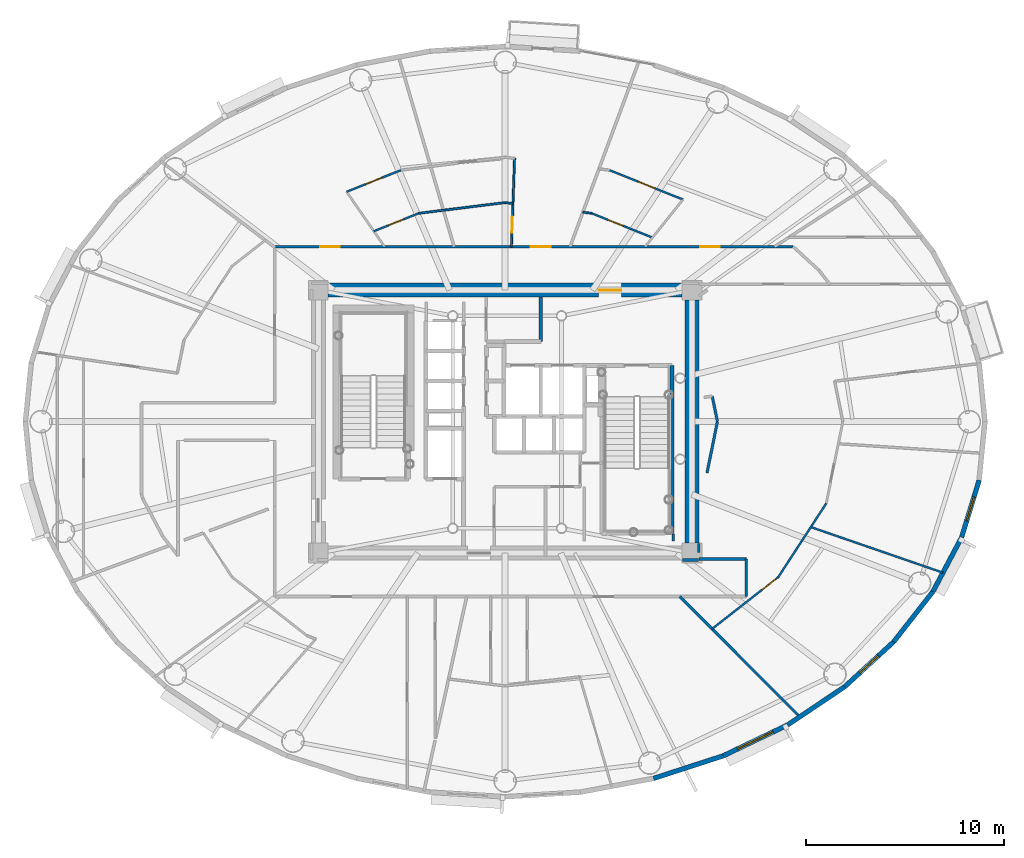
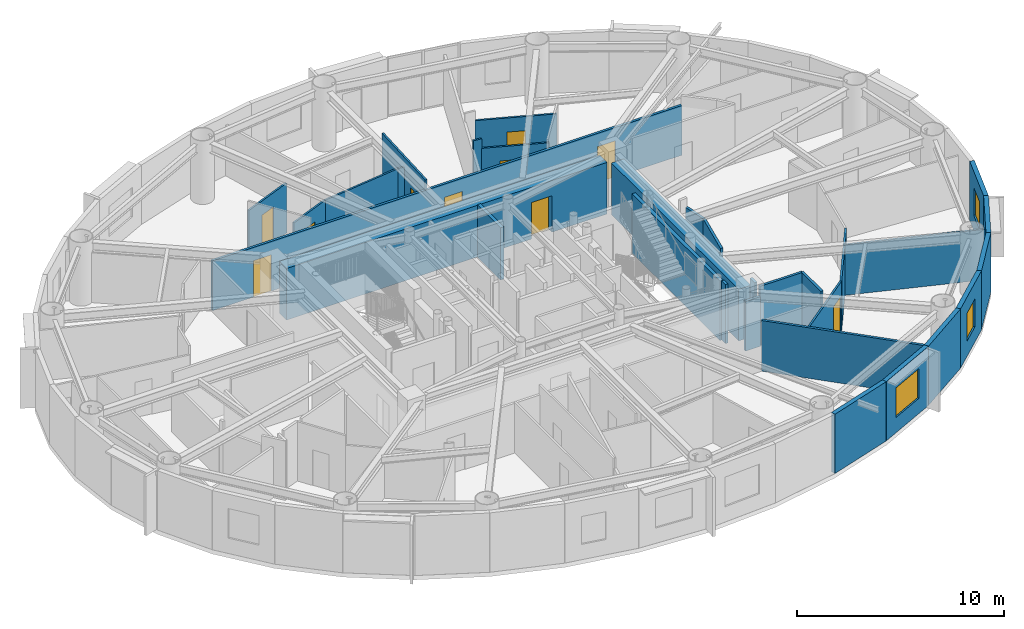
# One storey, part 10 of 20: 31 walls, 10 doors, 3 windows, 13 openings.
"""IFC4 building model written with IfcOpenShell, lengths in metres."""

from ifc_helpers import new_model, si_unit, direction, frame, frame_2d, origin, origin_2d, place, context, subcontext, project, spatial, rectangle, extrude, source, transform, mapped, material, layer, layer_set, type_object, element, fill, save


model = new_model("IFC4")

# Units and contexts
model_context = context("Model", 3, precision=1e-05, world=origin(), true_north=direction((0.0, 1.0)))
body_context = subcontext(model_context, "Body", "Model", "MODEL_VIEW")
ifc_project = project(units=[si_unit("LENGTHUNIT", "METRE"), si_unit("AREAUNIT", "SQUARE_METRE"), si_unit("VOLUMEUNIT", "CUBIC_METRE"), si_unit("PLANEANGLEUNIT", "RADIAN"), si_unit("MASSUNIT", "GRAM", prefix="KILO")], contexts=[model_context])

# Site, building, storey
site_placement = place(None, origin())
site = spatial("IfcSite", under=ifc_project, at=site_placement, CompositionType="ELEMENT")
building_placement = place(site_placement, origin())
building = spatial("IfcBuilding", under=site, at=building_placement, Name="Linh Dai School and Residence Tower", CompositionType="ELEMENT")
storey_placement = place(building_placement, frame((0.0, 0.0, 221.550048828125)))
storey = spatial("IfcBuildingStorey", under=building, at=storey_placement, Name="L54", CompositionType="ELEMENT", Elevation=221.550048828125)

# Wall
ifc_material_1 = material(Name="Precast Concrete B45 (C35/45)", Category="concrete")
ifc_layer_1 = layer(ifc_material_1, 0.239990234375)
ifc_layer_set_1 = layer_set([ifc_layer_1], Name="Precast Concrete B45 (C35/45)")
wall_type_1 = type_object("IfcWallType", Name="EW-TC-240", PredefinedType="SOLIDWALL", material=ifc_layer_set_1)
wall_1_placement = place(storey_placement, frame((47.031005859375, 10.093505859375, 0.0), z_axis=(0.0, 0.0, 1.0), x_axis=(-0.951210789182, -0.308541787354, 0.0)))
element("IfcWall", 1, at=wall_1_placement, inside=storey, type_object=wall_type_1, Name="L54 Terracotta Exterior Wall 33", PredefinedType="SOLIDWALL", context=body_context, shape_type="SweptSolid", body=[
    extrude(rectangle(XDim=3.702392578125, YDim=0.239990234375, at=frame_2d((1.85107421875, 0.0))), origin(), (0.0, 0.0, 1.0), 3.5),
])

# Wall, opening, window
wall_2_placement = place(storey_placement, frame((50.280029296875, 11.65234375, 0.0), z_axis=(0.0, 0.0, 1.0), x_axis=(-0.901598104751, -0.432574684313, 0.0)))
wall_2 = element("IfcWall", 2, at=wall_2_placement, inside=storey, type_object=wall_type_1, Name="L54 Terracotta Exterior Wall 34", PredefinedType="SOLIDWALL", context=body_context, shape_type="SweptSolid", body=[
    extrude(rectangle(XDim=3.603515625, YDim=0.239990234375, at=frame_2d((1.8017578125, 0.0))), origin(), (0.0, 0.0, 1.0), 3.5),
])
opening_1_placement = place(wall_2_placement, frame((0.802001953125, 0.0, 0.89990234375)))
opening_1 = element("IfcOpeningElement", 3, at=opening_1_placement, cuts=wall_2, Name="Opening W1", PredefinedType="OPENING", context=body_context, shape_type="SweptSolid", body=[
    extrude(rectangle(XDim=2.0, YDim=1.75, at=origin_2d()), frame((1.0, 0.1298828125, 0.875), z_axis=(0.0, -1.0, 0.0), x_axis=(1.0, 0.0, 0.0)), (0.0, 0.0, 1.0), 0.260009765625),
])
ifc_material_2 = material(Name="Double Low-E Insulated Glazing", Category="glass")
window_type_1 = type_object("IfcWindowType", Name="WN-RES-2000x1750", PartitioningType="DOUBLE_PANEL_VERTICAL", PredefinedType="WINDOW", material=ifc_material_2)
shared_shape_1 = source(origin(), body_context, "Body", "SweptSolid", [
    extrude(rectangle(XDim=2.0, YDim=1.75, at=origin_2d()), frame((1.0, 0.030029296875, 0.875), z_axis=(0.0, -1.0, 0.0), x_axis=(1.0, 0.0, 0.0)), (0.0, 0.0, 1.0), 0.06005859375),
])
window_1_placement = place(opening_1_placement, origin())
window_1 = element("IfcWindow", 4, at=window_1_placement, inside=storey, type_object=window_type_1, Name="L54 Exterior Window 34.1", OverallHeight=1.75, OverallWidth=2.0, PartitioningType="DOUBLE_PANEL_VERTICAL", PredefinedType="WINDOW", context=body_context, shape_type="MappedRepresentation", body=[
    mapped(shared_shape_1, transform((0.0, 0.0, 0.0), x_axis=(1.0, 0.0, 0.0), y_axis=(0.0, 1.0, 0.0), z_axis=(0.0, 0.0, 1.0), scale=1.0)),
])
fill(opening_1, window_1)

# Wall
wall_3_placement = place(storey_placement, frame((53.17626953125, 13.589111328125, 0.0), z_axis=(0.0, 0.0, 1.0), x_axis=(-0.831262496074, -0.555880079352, 0.0)))
element("IfcWall", 5, at=wall_3_placement, inside=storey, type_object=wall_type_1, Name="L54 Terracotta Exterior Wall 35", PredefinedType="SOLIDWALL", context=body_context, shape_type="SweptSolid", body=[
    extrude(rectangle(XDim=3.484130859375, YDim=0.239990234375, at=frame_2d((1.7421875, 0.0))), origin(), (0.0, 0.0, 1.0), 3.5),
])

# Wall, opening, window
wall_4_placement = place(storey_placement, frame((55.6484375, 15.85546875, 0.0), z_axis=(0.0, 0.0, 1.0), x_axis=(-0.737123922599, -0.675757591694, 0.0)))
wall_4 = element("IfcWall", 6, at=wall_4_placement, inside=storey, type_object=wall_type_1, Name="L54 Terracotta Exterior Wall 36", PredefinedType="SOLIDWALL", context=body_context, shape_type="SweptSolid", body=[
    extrude(rectangle(XDim=3.353759765625, YDim=0.239990234375, at=frame_2d((1.6767578125, 0.0))), origin(), (0.0, 0.0, 1.0), 3.5),
])
opening_2_placement = place(wall_4_placement, frame((1.0517578125, 0.0, 0.89990234375)))
opening_2 = element("IfcOpeningElement", 7, at=opening_2_placement, cuts=wall_4, Name="Opening W3", PredefinedType="OPENING", context=body_context, shape_type="SweptSolid", body=[
    extrude(rectangle(XDim=1.25, YDim=1.64990234375, at=origin_2d()), frame((0.625, 0.1298828125, 0.824951171875), z_axis=(0.0, -1.0, 0.0), x_axis=(1.0, 0.0, 0.0)), (0.0, 0.0, 1.0), 0.260009765625),
])
window_type_2 = type_object("IfcWindowType", Name="WN-RES-1250x1650", PartitioningType="SINGLE_PANEL", PredefinedType="WINDOW", material=ifc_material_2)
shared_shape_2 = source(origin(), body_context, "Body", "SweptSolid", [
    extrude(rectangle(XDim=1.25, YDim=1.64990234375, at=origin_2d()), frame((0.625, 0.030029296875, 0.824951171875), z_axis=(0.0, -1.0, 0.0), x_axis=(1.0, 0.0, 0.0)), (0.0, 0.0, 1.0), 0.06005859375),
])
window_2_placement = place(opening_2_placement, origin())
window_2 = element("IfcWindow", 8, at=window_2_placement, inside=storey, type_object=window_type_2, Name="L54 Dwelling Window U5407-BD1", OverallHeight=1.64990234375, OverallWidth=1.25, PartitioningType="SINGLE_PANEL", PredefinedType="WINDOW", context=body_context, shape_type="MappedRepresentation", body=[
    mapped(shared_shape_2, transform((0.0, 0.0, 0.0), x_axis=(1.0, 0.0, 0.0), y_axis=(0.0, 1.0, 0.0), z_axis=(0.0, 0.0, 1.0), scale=1.0)),
])
fill(opening_2, window_2)

# Walls
wall_5_placement = place(storey_placement, frame((57.6357421875, 18.394775390625, 0.0), z_axis=(0.0, 0.0, 1.0), x_axis=(-0.616312344705, -0.787501805562, 0.0)))
element("IfcWall", 9, at=wall_5_placement, inside=storey, type_object=wall_type_1, Name="L54 Terracotta Exterior Wall 37", PredefinedType="SOLIDWALL", context=body_context, shape_type="SweptSolid", body=[
    extrude(rectangle(XDim=3.224609375, YDim=0.239990234375, at=frame_2d((1.6123046875, 0.0))), origin(), (0.0, 0.0, 1.0), 3.5),
])
wall_6_placement = place(storey_placement, frame((59.09033203125, 21.14404296875, 0.0), z_axis=(0.0, 0.0, 1.0), x_axis=(-0.46766049993, -0.883908172157, 0.0)))
element("IfcWall", 10, at=wall_6_placement, inside=storey, type_object=wall_type_1, Name="L54 Terracotta Exterior Wall 38", PredefinedType="SOLIDWALL", context=body_context, shape_type="SweptSolid", body=[
    extrude(rectangle(XDim=3.1103515625, YDim=0.239990234375, at=frame_2d((1.55517578125, 0.0))), origin(), (0.0, 0.0, 1.0), 3.5),
])

# Wall, opening, window
wall_7_placement = place(storey_placement, frame((59.97705078125, 24.0361328125, 0.0), z_axis=(0.0, 0.0, 1.0), x_axis=(-0.293132907334, -0.95607170162, 0.0)))
wall_7 = element("IfcWall", 11, at=wall_7_placement, inside=storey, type_object=wall_type_1, Name="L54 Terracotta Exterior Wall 39", PredefinedType="SOLIDWALL", context=body_context, shape_type="SweptSolid", body=[
    extrude(rectangle(XDim=3.02490234375, YDim=0.239990234375, at=frame_2d((1.512451171875, 0.0))), origin(), (0.0, 0.0, 1.0), 3.5),
])
opening_3_placement = place(wall_7_placement, frame((0.887451171875, 0.0, 0.89990234375)))
opening_3 = element("IfcOpeningElement", 12, at=opening_3_placement, cuts=wall_7, Name="Opening W3", PredefinedType="OPENING", context=body_context, shape_type="SweptSolid", body=[
    extrude(rectangle(XDim=1.25, YDim=1.64990234375, at=origin_2d()), frame((0.625, 0.1298828125, 0.824951171875), z_axis=(0.0, -1.0, 0.0), x_axis=(1.0, 0.0, 0.0)), (0.0, 0.0, 1.0), 0.260009765625),
])
window_3_placement = place(opening_3_placement, origin())
window_3 = element("IfcWindow", 13, at=window_3_placement, inside=storey, type_object=window_type_2, Name="L54 Exterior Window 39.1", OverallHeight=1.64990234375, OverallWidth=1.25, PartitioningType="SINGLE_PANEL", PredefinedType="WINDOW", context=body_context, shape_type="MappedRepresentation", body=[
    mapped(shared_shape_2, transform((0.0, 0.0, 0.0), x_axis=(1.0, 0.0, 0.0), y_axis=(0.0, 1.0, 0.0), z_axis=(0.0, 0.0, 1.0), scale=1.0)),
])
fill(opening_3, window_3)

# Wall, openings, doors
ifc_material_3 = material(Name="Autoclaved Aerated Concrete Blockwork", Category="masonry")
ifc_layer_2 = layer(ifc_material_3, 0.135009765625)
ifc_layer_set_2 = layer_set([ifc_layer_2], Name="Autoclaved Aerated Concrete Blockwork")
wall_type_2 = type_object("IfcWallType", Name="IW-CORR-135-EI90", PredefinedType="PARTITIONING", material=ifc_layer_set_2)
wall_8_placement = place(storey_placement, frame((24.35009765625, 35.85009765625, 0.0), z_axis=(0.0, 0.0, 1.0), x_axis=(1.0, 0.0, 0.0)))
wall_8 = element("IfcWall", 14, at=wall_8_placement, inside=storey, type_object=wall_type_2, Name="L54 Interior Partition Wall 023", PredefinedType="PARTITIONING", context=body_context, shape_type="SweptSolid", body=[
    extrude(rectangle(XDim=26.2177734375, YDim=0.135009765625, at=frame_2d((13.10888671875, 0.0))), origin(), (0.0, 0.0, 1.0), 2.93505859375),
])
opening_4_placement = place(wall_8_placement, frame((21.506591796875, 0.0, 0.0)))
opening_4 = element("IfcOpeningElement", 15, at=opening_4_placement, cuts=wall_8, Name="Opening D03", PredefinedType="OPENING", context=body_context, shape_type="SweptSolid", body=[
    extrude(rectangle(XDim=1.0, YDim=2.14990234375, at=origin_2d()), frame((0.5, 0.07763671875, 1.074951171875), z_axis=(0.0, -1.0, 0.0), x_axis=(1.0, 0.0, 0.0)), (0.0, 0.0, 1.0), 0.155029296875),
])
opening_5_placement = place(wall_8_placement, frame((12.9501953125, 0.0, 0.0)))
opening_5 = element("IfcOpeningElement", 16, at=opening_5_placement, cuts=wall_8, Name="Opening D03", PredefinedType="OPENING", context=body_context, shape_type="SweptSolid", body=[
    extrude(rectangle(XDim=1.0, YDim=2.14990234375, at=origin_2d()), frame((0.5, 0.07763671875, 1.074951171875), z_axis=(0.0, -1.0, 0.0), x_axis=(1.0, 0.0, 0.0)), (0.0, 0.0, 1.0), 0.155029296875),
])
opening_6_placement = place(wall_8_placement, frame((2.293212890625, 0.0, 0.0)))
opening_6 = element("IfcOpeningElement", 17, at=opening_6_placement, cuts=wall_8, Name="Opening D03", PredefinedType="OPENING", context=body_context, shape_type="SweptSolid", body=[
    extrude(rectangle(XDim=1.0, YDim=2.14990234375, at=origin_2d()), frame((0.5, 0.07763671875, 1.074951171875), z_axis=(0.0, -1.0, 0.0), x_axis=(1.0, 0.0, 0.0)), (0.0, 0.0, 1.0), 0.155029296875),
])
ifc_material_4 = material(Name="Fire-Rated Solid Timber Entrance Door", Category="wood")
door_type_1 = type_object("IfcDoorType", Name="DR-FLAT-1000x2150-FD60S", OperationType="NOTDEFINED", PredefinedType="DOOR", material=ifc_material_4)
shared_shape_3 = source(origin(), body_context, "Body", "SweptSolid", [
    extrude(rectangle(XDim=1.0, YDim=2.14990234375, at=origin_2d()), frame((0.5, 0.02490234375, 1.074951171875), z_axis=(0.0, -1.0, 0.0), x_axis=(1.0, 0.0, 0.0)), (0.0, 0.0, 1.0), 0.050048828125),
])
door_1_placement = place(opening_4_placement, origin())
door_1 = element("IfcDoor", 18, at=door_1_placement, inside=storey, type_object=door_type_1, Name="L54 U5401 Apartment Entrance Door", OperationType="SINGLE_SWING_LEFT", OverallHeight=2.14990234375, OverallWidth=1.0, PredefinedType="DOOR", context=body_context, shape_type="MappedRepresentation", body=[
    mapped(shared_shape_3, transform((0.0, 0.0, 0.0), x_axis=(1.0, 0.0, 0.0), y_axis=(0.0, 1.0, 0.0), z_axis=(0.0, 0.0, 1.0), scale=1.0)),
])
fill(opening_4, door_1)
door_2_placement = place(opening_5_placement, origin())
door_2 = element("IfcDoor", 19, at=door_2_placement, inside=storey, type_object=door_type_1, Name="L54 U5402 Apartment Entrance Door", OperationType="SINGLE_SWING_RIGHT", OverallHeight=2.14990234375, OverallWidth=1.0, PredefinedType="DOOR", context=body_context, shape_type="MappedRepresentation", body=[
    mapped(shared_shape_3, transform((0.0, 0.0, 0.0), x_axis=(1.0, 0.0, 0.0), y_axis=(0.0, 1.0, 0.0), z_axis=(0.0, 0.0, 1.0), scale=1.0)),
])
fill(opening_5, door_2)
door_3_placement = place(opening_6_placement, origin())
door_3 = element("IfcDoor", 20, at=door_3_placement, inside=storey, type_object=door_type_1, Name="L54 U5403 Apartment Entrance Door", OperationType="SINGLE_SWING_LEFT", OverallHeight=2.14990234375, OverallWidth=1.0, PredefinedType="DOOR", context=body_context, shape_type="MappedRepresentation", body=[
    mapped(shared_shape_3, transform((0.0, 0.0, 0.0), x_axis=(1.0, 0.0, 0.0), y_axis=(0.0, 1.0, 0.0), z_axis=(0.0, 0.0, 1.0), scale=1.0)),
])
fill(opening_6, door_3)

# Walls
wall_9_placement = place(storey_placement, frame((44.83349609375, 18.14990234375, 0.0), z_axis=(0.0, 0.0, 1.0), x_axis=(0.706467502326, -0.707745482612, 0.0)))
element("IfcWall", 21, at=wall_9_placement, inside=storey, type_object=wall_type_2, Name="L54 Interior Partition Wall 083", PredefinedType="PARTITIONING", context=body_context, shape_type="SweptSolid", body=[
    extrude(rectangle(XDim=8.5966796875, YDim=0.135009765625, at=frame_2d((4.29833984375, 0.0))), origin(), (0.0, 0.0, 1.0), 2.98486328125),
])
wall_10_placement = place(storey_placement, frame((45.800048828125, 20.050048828125, 0.0), z_axis=(0.0, 0.0, 1.0), x_axis=(1.0, 0.0, 0.0)))
element("IfcWall", 22, at=wall_10_placement, inside=storey, type_object=wall_type_2, Name="L54 Interior Partition Wall 084", PredefinedType="PARTITIONING", context=body_context, shape_type="SweptSolid", body=[
    extrude(rectangle(XDim=2.39990234375, YDim=0.135009765625, at=frame_2d((1.199951171875, 0.0))), origin(), (0.0, 0.0, 1.0), 3.5),
])
wall_11_placement = place(storey_placement, frame((48.199951171875, 18.14990234375, 0.0), z_axis=(0.0, 0.0, 1.0), x_axis=(0.0, 1.0, 0.0)))
element("IfcWall", 23, at=wall_11_placement, inside=storey, type_object=wall_type_2, Name="L54 Interior Partition Wall 087", PredefinedType="PARTITIONING", context=body_context, shape_type="SweptSolid", body=[
    extrude(rectangle(XDim=1.900146484375, YDim=0.135009765625, at=frame_2d((0.9501953125, 0.0))), origin(), (0.0, 0.0, 1.0), 3.5),
])
wall_12_placement = place(storey_placement, frame((44.5, 20.9599609375, 0.0), z_axis=(0.0, 0.0, 1.0), x_axis=(0.0, 1.0, 0.0)))
element("IfcWall", 24, at=wall_12_placement, inside=storey, type_object=wall_type_2, Name="L54 Interior Partition Wall 103", PredefinedType="PARTITIONING", context=body_context, shape_type="SweptSolid", body=[
    extrude(rectangle(XDim=0.360107421875, YDim=0.135009765625, at=frame_2d((0.18017578125, 0.0))), origin(), (0.0, 0.0, 1.0), 3.5),
])
wall_13_placement = place(storey_placement, frame((44.9599609375, 20.0, 0.0), z_axis=(0.0, 0.0, 1.0), x_axis=(1.0, 0.0, 0.0)))
element("IfcWall", 25, at=wall_13_placement, inside=storey, type_object=wall_type_2, Name="L54 Interior Partition Wall 112", PredefinedType="PARTITIONING", context=body_context, shape_type="SweptSolid", body=[
    extrude(rectangle(XDim=0.830078125, YDim=0.135009765625, at=frame_2d((0.4150390625, 0.0))), origin(), (0.0, 0.0, 1.0), 2.93505859375),
])
wall_14_placement = place(storey_placement, frame((45.800048828125, 20.37744140625, 0.0), z_axis=(0.0, 0.0, 1.0), x_axis=(0.0, 1.0, 0.0)))
element("IfcWall", 26, at=wall_14_placement, inside=storey, type_object=wall_type_2, Name="L54 Interior Partition Wall 117", PredefinedType="PARTITIONING", context=body_context, shape_type="SweptSolid", body=[
    extrude(rectangle(XDim=0.462646484375, YDim=0.135009765625, at=frame_2d((0.2314453125, 0.0))), origin(), (0.0, 0.0, 1.0), 3.5),
])
wall_15_placement = place(storey_placement, frame((46.21044921875, 24.40234375, 0.0), z_axis=(0.0, 0.0, 1.0), x_axis=(0.198330009585, 0.980135300506, 0.0)))
element("IfcWall", 27, at=wall_15_placement, inside=storey, type_object=wall_type_2, Name="L54 Interior Partition Wall 118", PredefinedType="PARTITIONING", context=body_context, shape_type="SweptSolid", body=[
    extrude(rectangle(XDim=2.650390625, YDim=0.135009765625, at=frame_2d((1.3251953125, 0.0))), origin(), (0.0, 0.0, 1.0), 2.93505859375),
])
wall_16_placement = place(storey_placement, frame((46.736083984375, 27.0, 0.0), z_axis=(0.0, 0.0, 1.0), x_axis=(-0.198267784349, 0.980147889703, 0.0)))
element("IfcWall", 28, at=wall_16_placement, inside=storey, type_object=wall_type_2, Name="L54 Interior Partition Wall 119", PredefinedType="PARTITIONING", context=body_context, shape_type="SweptSolid", body=[
    extrude(rectangle(XDim=1.308837890625, YDim=0.135009765625, at=frame_2d((0.654296875, 0.0))), origin(), (0.0, 0.0, 1.0), 2.93505859375),
])
ifc_material_5 = material(Name="Concrete B45 (C35/45)", Category="concrete")
ifc_layer_3 = layer(ifc_material_5, 0.199951171875)
ifc_layer_set_3 = layer_set([ifc_layer_3], Name="Concrete B45 (C35/45)")
wall_type_3 = type_object("IfcWallType", Name="IW-SHAFT-200-EI120", PredefinedType="PARTITIONING", material=ifc_layer_set_3)
wall_17_placement = place(storey_placement, frame((37.800048828125, 31.050048828125, 0.0), z_axis=(0.0, 0.0, 1.0), x_axis=(0.0, 1.0, 0.0)))
element("IfcWall", 29, at=wall_17_placement, inside=storey, type_object=wall_type_3, Name="L54 Interior Partition Wall 066", PredefinedType="PARTITIONING", context=body_context, shape_type="SweptSolid", body=[
    extrude(rectangle(XDim=2.25, YDim=0.199951171875, at=frame_2d((1.125, 0.0))), origin(), (0.0, 0.0, 1.0), 3.0849609375),
])
wall_18_placement = place(storey_placement, frame((44.43994140625, 21.330078125, 0.0), z_axis=(0.0, 0.0, 1.0), x_axis=(0.0, 1.0, 0.0)))
element("IfcWall", 30, at=wall_18_placement, inside=storey, type_object=wall_type_3, Name="L54 Interior Partition Wall 082", PredefinedType="PARTITIONING", context=body_context, shape_type="SweptSolid", body=[
    extrude(rectangle(XDim=8.52001953125, YDim=0.199951171875, at=frame_2d((4.260009765625, 0.0))), origin(), (0.0, 0.0, 1.0), 3.5),
])

# Wall, opening, door
ifc_material_6 = material(Name="Gypsum Plasterboard Acoustic Stud Partition", Category="masonry")
ifc_layer_4 = layer(ifc_material_6, 0.10009765625)
ifc_layer_set_4 = layer_set([ifc_layer_4], Name="Gypsum Plasterboard Acoustic Stud Partition")
wall_type_4 = type_object("IfcWallType", Name="IW-UNIT-100", PredefinedType="PARTITIONING", material=ifc_layer_set_4)
wall_19_placement = place(storey_placement, frame((27.98193359375, 38.625732421875, 0.0), z_axis=(0.0, 0.0, 1.0), x_axis=(0.928795965169, 0.370591493542, 0.0)))
wall_19 = element("IfcWall", 31, at=wall_19_placement, inside=storey, type_object=wall_type_4, Name="L54 Interior Partition Wall 027", PredefinedType="PARTITIONING", context=body_context, shape_type="SweptSolid", body=[
    extrude(rectangle(XDim=2.949951171875, YDim=0.10009765625, at=frame_2d((1.47509765625, 0.0))), origin(), (0.0, 0.0, 1.0), 2.93505859375),
])
opening_7_placement = place(wall_19_placement, frame((1.02490234375, 0.0, 0.0)))
opening_7 = element("IfcOpeningElement", 32, at=opening_7_placement, cuts=wall_19, Name="Opening D05", PredefinedType="OPENING", context=body_context, shape_type="SweptSolid", body=[
    extrude(rectangle(XDim=0.89990234375, YDim=2.10009765625, at=origin_2d()), frame((0.449951171875, 0.06005859375, 1.050048828125), z_axis=(0.0, -1.0, 0.0), x_axis=(1.0, 0.0, 0.0)), (0.0, 0.0, 1.0), 0.1201171875),
])
ifc_material_7 = material(Name="Engineered Timber Internal Door", Category="wood")
door_type_2 = type_object("IfcDoorType", Name="DR-INT-900x2100", OperationType="NOTDEFINED", PredefinedType="DOOR", material=ifc_material_7)
shared_shape_4 = source(origin(), body_context, "Body", "SweptSolid", [
    extrude(rectangle(XDim=0.89990234375, YDim=2.10009765625, at=origin_2d()), frame((0.449951171875, 0.02490234375, 1.050048828125), z_axis=(0.0, -1.0, 0.0), x_axis=(1.0, 0.0, 0.0)), (0.0, 0.0, 1.0), 0.050048828125),
])
door_4_placement = place(opening_7_placement, origin())
door_4 = element("IfcDoor", 33, at=door_4_placement, inside=storey, type_object=door_type_2, Name="L54 Apartment U5403 Kitchen Door", OperationType="SINGLE_SWING_RIGHT", OverallHeight=2.10009765625, OverallWidth=0.89990234375, PredefinedType="DOOR", context=body_context, shape_type="MappedRepresentation", body=[
    mapped(shared_shape_4, transform((0.0, 0.0, 0.0), x_axis=(1.0, 0.0, 0.0), y_axis=(0.0, 1.0, 0.0), z_axis=(0.0, 0.0, 1.0), scale=1.0)),
])
fill(opening_7, door_4)

wall_20_placement = place(storey_placement, frame((29.3564453125, 36.6328125, 0.0), z_axis=(0.0, 0.0, 1.0), x_axis=(0.928806968298, 0.370563915731, 0.0)))
wall_20 = element("IfcWall", 34, at=wall_20_placement, inside=storey, type_object=wall_type_4, Name="L54 Interior Partition Wall 028", PredefinedType="PARTITIONING", context=body_context, shape_type="SweptSolid", body=[
    extrude(rectangle(XDim=2.4443359375, YDim=0.10009765625, at=frame_2d((1.22216796875, 0.0))), origin(), (0.0, 0.0, 1.0), 2.93505859375),
])
opening_8_placement = place(wall_20_placement, frame((0.81201171875, 0.0, 0.0)))
opening_8 = element("IfcOpeningElement", 35, at=opening_8_placement, cuts=wall_20, Name="Opening D06", PredefinedType="OPENING", context=body_context, shape_type="SweptSolid", body=[
    extrude(rectangle(XDim=0.820068359375, YDim=2.10009765625, at=origin_2d()), frame((0.41015625, 0.06005859375, 1.050048828125), z_axis=(0.0, -1.0, 0.0), x_axis=(1.0, 0.0, 0.0)), (0.0, 0.0, 1.0), 0.1201171875),
])
ifc_material_8 = material(Name="Moisture-Resistant Timber Bathroom Door", Category="wood")
door_type_3 = type_object("IfcDoorType", Name="DR-WET-820x2100", OperationType="NOTDEFINED", PredefinedType="DOOR", material=ifc_material_8)
shared_shape_5 = source(origin(), body_context, "Body", "SweptSolid", [
    extrude(rectangle(XDim=0.820068359375, YDim=2.10009765625, at=origin_2d()), frame((0.41015625, 0.02490234375, 1.050048828125), z_axis=(0.0, -1.0, 0.0), x_axis=(1.0, 0.0, 0.0)), (0.0, 0.0, 1.0), 0.050048828125),
])
door_5_placement = place(opening_8_placement, origin())
door_5 = element("IfcDoor", 36, at=door_5_placement, inside=storey, type_object=door_type_3, Name="L54 Apartment U5403 Bathroom Door", OperationType="SINGLE_SWING_LEFT", OverallHeight=2.10009765625, OverallWidth=0.820068359375, PredefinedType="DOOR", context=body_context, shape_type="MappedRepresentation", body=[
    mapped(shared_shape_5, transform((0.0, 0.0, 0.0), x_axis=(1.0, 0.0, 0.0), y_axis=(0.0, 1.0, 0.0), z_axis=(0.0, 0.0, 1.0), scale=1.0)),
])
fill(opening_8, door_5)

# Walls
wall_21_placement = place(storey_placement, frame((31.626708984375, 37.53857421875, 0.0), z_axis=(0.0, 0.0, 1.0), x_axis=(0.992401810072, 0.123039210683, 0.0)))
element("IfcWall", 37, at=wall_21_placement, inside=storey, type_object=wall_type_4, Name="L54 Interior Partition Wall 033", PredefinedType="PARTITIONING", context=body_context, shape_type="SweptSolid", body=[
    extrude(rectangle(XDim=4.406982421875, YDim=0.10009765625, at=frame_2d((2.20361328125, 0.0))), origin(), (0.0, 0.0, 1.0), 2.93505859375),
])
wall_22_placement = place(storey_placement, frame((36.0, 38.080810546875, 0.0), z_axis=(0.0, 0.0, 1.0), x_axis=(0.99240043869, -0.123050271381, 0.0)))
element("IfcWall", 38, at=wall_22_placement, inside=storey, type_object=wall_type_4, Name="L54 Interior Partition Wall 060", PredefinedType="PARTITIONING", context=body_context, shape_type="SweptSolid", body=[
    extrude(rectangle(XDim=0.396728515625, YDim=0.10009765625, at=frame_2d((0.1982421875, 0.0))), origin(), (0.0, 0.0, 1.0), 2.93505859375),
])

# Wall, opening, door
wall_23_placement = place(storey_placement, frame((36.31591796875, 35.85009765625, 0.0), z_axis=(0.0, 0.0, 1.0), x_axis=(0.035687631784, 0.99936299358, 0.0)))
wall_23 = element("IfcWall", 39, at=wall_23_placement, inside=storey, type_object=wall_type_4, Name="L54 Interior Partition Wall 062", PredefinedType="PARTITIONING", context=body_context, shape_type="SweptSolid", body=[
    extrude(rectangle(XDim=4.46728515625, YDim=0.10009765625, at=frame_2d((2.233642578125, 0.0))), origin(), (0.0, 0.0, 1.0), 3.5),
])
opening_9_placement = place(wall_23_placement, frame((0.70166015625, 0.0, 0.0)))
opening_9 = element("IfcOpeningElement", 40, at=opening_9_placement, cuts=wall_23, Name="Opening D06", PredefinedType="OPENING", context=body_context, shape_type="SweptSolid", body=[
    extrude(rectangle(XDim=0.820068359375, YDim=2.10009765625, at=origin_2d()), frame((0.41015625, 0.06005859375, 1.050048828125), z_axis=(0.0, -1.0, 0.0), x_axis=(1.0, 0.0, 0.0)), (0.0, 0.0, 1.0), 0.1201171875),
])
door_6_placement = place(opening_9_placement, origin())
door_6 = element("IfcDoor", 41, at=door_6_placement, inside=storey, type_object=door_type_3, Name="L54 Apartment U5402 Bathroom Door", OperationType="SINGLE_SWING_LEFT", OverallHeight=2.10009765625, OverallWidth=0.820068359375, PredefinedType="DOOR", context=body_context, shape_type="MappedRepresentation", body=[
    mapped(shared_shape_5, transform((0.0, 0.0, 0.0), x_axis=(1.0, 0.0, 0.0), y_axis=(0.0, 1.0, 0.0), z_axis=(0.0, 0.0, 1.0), scale=1.0)),
])
fill(opening_9, door_6)

# Wall
wall_24_placement = place(storey_placement, frame((39.931884765625, 37.59326171875, 0.0), z_axis=(0.0, 0.0, 1.0), x_axis=(0.992412401992, -0.122953748919, 0.0)))
element("IfcWall", 42, at=wall_24_placement, inside=storey, type_object=wall_type_4, Name="L54 Interior Partition Wall 073", PredefinedType="PARTITIONING", context=body_context, shape_type="SweptSolid", body=[
    extrude(rectangle(XDim=0.44482421875, YDim=0.10009765625, at=frame_2d((0.222412109375, 0.0))), origin(), (0.0, 0.0, 1.0), 3.5),
])

# Wall, opening, door
wall_25_placement = place(storey_placement, frame((40.373291015625, 37.53857421875, 0.0), z_axis=(0.0, 0.0, 1.0), x_axis=(0.928801257211, -0.370578230071, 0.0)))
wall_25 = element("IfcWall", 43, at=wall_25_placement, inside=storey, type_object=wall_type_4, Name="L54 Interior Partition Wall 076", PredefinedType="PARTITIONING", context=body_context, shape_type="SweptSolid", body=[
    extrude(rectangle(XDim=3.31640625, YDim=0.10009765625, at=frame_2d((1.658203125, 0.0))), origin(), (0.0, 0.0, 1.0), 2.93505859375),
])
opening_10_placement = place(wall_25_placement, frame((0.90966796875, 0.0, 0.0)))
opening_10 = element("IfcOpeningElement", 44, at=opening_10_placement, cuts=wall_25, Name="Opening D06", PredefinedType="OPENING", context=body_context, shape_type="SweptSolid", body=[
    extrude(rectangle(XDim=0.820068359375, YDim=2.10009765625, at=origin_2d()), frame((0.41015625, 0.06005859375, 1.050048828125), z_axis=(0.0, -1.0, 0.0), x_axis=(1.0, 0.0, 0.0)), (0.0, 0.0, 1.0), 0.1201171875),
])
door_7_placement = place(opening_10_placement, origin())
door_7 = element("IfcDoor", 45, at=door_7_placement, inside=storey, type_object=door_type_3, Name="L54 Apartment U5401 Bathroom Door", OperationType="SINGLE_SWING_LEFT", OverallHeight=2.10009765625, OverallWidth=0.820068359375, PredefinedType="DOOR", context=body_context, shape_type="MappedRepresentation", body=[
    mapped(shared_shape_5, transform((0.0, 0.0, 0.0), x_axis=(1.0, 0.0, 0.0), y_axis=(0.0, 1.0, 0.0), z_axis=(0.0, 0.0, 1.0), scale=1.0)),
])
fill(opening_10, door_7)

wall_26_placement = place(storey_placement, frame((41.278076171875, 39.718994140625, 0.0), z_axis=(0.0, 0.0, 1.0), x_axis=(0.928808650267, -0.3705596999, 0.0)))
wall_26 = element("IfcWall", 46, at=wall_26_placement, inside=storey, type_object=wall_type_4, Name="L54 Interior Partition Wall 080", PredefinedType="PARTITIONING", context=body_context, shape_type="SweptSolid", body=[
    extrude(rectangle(XDim=4.00244140625, YDim=0.10009765625, at=frame_2d((2.001220703125, 0.0))), origin(), (0.0, 0.0, 1.0), 2.93505859375),
])
opening_11_placement = place(wall_26_placement, frame((1.55126953125, 0.0, 0.0)))
opening_11 = element("IfcOpeningElement", 47, at=opening_11_placement, cuts=wall_26, Name="Opening D05", PredefinedType="OPENING", context=body_context, shape_type="SweptSolid", body=[
    extrude(rectangle(XDim=0.89990234375, YDim=2.10009765625, at=origin_2d()), frame((0.449951171875, 0.06005859375, 1.050048828125), z_axis=(0.0, -1.0, 0.0), x_axis=(1.0, 0.0, 0.0)), (0.0, 0.0, 1.0), 0.1201171875),
])
door_8_placement = place(opening_11_placement, origin())
door_8 = element("IfcDoor", 48, at=door_8_placement, inside=storey, type_object=door_type_2, Name="L54 Apartment U5401 Kitchen Door", OperationType="SINGLE_SWING_RIGHT", OverallHeight=2.10009765625, OverallWidth=0.89990234375, PredefinedType="DOOR", context=body_context, shape_type="MappedRepresentation", body=[
    mapped(shared_shape_4, transform((0.0, 0.0, 0.0), x_axis=(1.0, 0.0, 0.0), y_axis=(0.0, 1.0, 0.0), z_axis=(0.0, 0.0, 1.0), scale=1.0)),
])
fill(opening_11, door_8)

wall_27_placement = place(storey_placement, frame((46.466064453125, 16.5146484375, 0.0), z_axis=(0.0, 0.0, 1.0), x_axis=(0.787371868093, 0.616478338092, 0.0)))
wall_27 = element("IfcWall", 49, at=wall_27_placement, inside=storey, type_object=wall_type_4, Name="L54 Interior Partition Wall 085", PredefinedType="PARTITIONING", context=body_context, shape_type="SweptSolid", body=[
    extrude(rectangle(XDim=4.25732421875, YDim=0.10009765625, at=frame_2d((2.128662109375, 0.0))), origin(), (0.0, 0.0, 1.0), 2.93505859375),
])
opening_12_placement = place(wall_27_placement, frame((3.206298828125, 0.0, 0.0)))
opening_12 = element("IfcOpeningElement", 50, at=opening_12_placement, cuts=wall_27, Name="Opening D05", PredefinedType="OPENING", context=body_context, shape_type="SweptSolid", body=[
    extrude(rectangle(XDim=0.89990234375, YDim=2.10009765625, at=origin_2d()), frame((0.449951171875, 0.06005859375, 1.050048828125), z_axis=(0.0, -1.0, 0.0), x_axis=(1.0, 0.0, 0.0)), (0.0, 0.0, 1.0), 0.1201171875),
])
door_9_placement = place(opening_12_placement, origin())
door_9 = element("IfcDoor", 51, at=door_9_placement, inside=storey, type_object=door_type_2, Name="L54 Apartment U5407 Principal Bedroom 1 Door", OperationType="SINGLE_SWING_LEFT", OverallHeight=2.10009765625, OverallWidth=0.89990234375, PredefinedType="DOOR", context=body_context, shape_type="MappedRepresentation", body=[
    mapped(shared_shape_4, transform((0.0, 0.0, 0.0), x_axis=(1.0, 0.0, 0.0), y_axis=(0.0, 1.0, 0.0), z_axis=(0.0, 0.0, 1.0), scale=1.0)),
])
fill(opening_12, door_9)

# Walls
wall_28_placement = place(storey_placement, frame((49.818115234375, 19.13916015625, 0.0), z_axis=(0.0, 0.0, 1.0), x_axis=(0.545406924684, 0.83817139447, 0.0)))
element("IfcWall", 52, at=wall_28_placement, inside=storey, type_object=wall_type_4, Name="L54 Interior Partition Wall 089", PredefinedType="PARTITIONING", context=body_context, shape_type="SweptSolid", body=[
    extrude(rectangle(XDim=4.447998046875, YDim=0.10009765625, at=frame_2d((2.22412109375, 0.0))), origin(), (0.0, 0.0, 1.0), 2.93505859375),
])
wall_29_placement = place(storey_placement, frame((51.4619140625, 21.665283203125, 0.0), z_axis=(0.0, 0.0, 1.0), x_axis=(0.945326038311, -0.326126787142, 0.0)))
element("IfcWall", 53, at=wall_29_placement, inside=storey, type_object=wall_type_4, Name="L54 Interior Partition Wall 092", PredefinedType="PARTITIONING", context=body_context, shape_type="SweptSolid", body=[
    extrude(rectangle(XDim=7.075927734375, YDim=0.10009765625, at=frame_2d((3.5380859375, 0.0))), origin(), (0.0, 0.0, 1.0), 2.98486328125),
])

# Wall, opening, door
ifc_layer_5 = layer(ifc_material_5, 0.699951171875)
ifc_layer_set_5 = layer_set([ifc_layer_5], Name="Concrete B45 (C35/45)")
wall_type_5 = type_object("IfcWallType", Name="WL-CORE700", PredefinedType="SHEAR", material=ifc_layer_set_5)
wall_30_placement = place(storey_placement, frame((27.050048828125, 33.64990234375, 0.0), z_axis=(0.0, 0.0, 1.0), x_axis=(1.0, 0.0, 0.0)))
wall_30 = element("IfcWall", 54, at=wall_30_placement, inside=storey, type_object=wall_type_5, Name="L54 Central Core Shear Wall N", PredefinedType="SHEAR", context=body_context, shape_type="SweptSolid", body=[
    extrude(rectangle(XDim=17.89990234375, YDim=0.699951171875, at=frame_2d((8.949951171875, 0.0))), origin(), (0.0, 0.0, 1.0), 3.050048828125),
])
opening_13_placement = place(wall_30_placement, frame((13.675048828125, 0.0, 0.0)))
opening_13 = element("IfcOpeningElement", 55, at=opening_13_placement, cuts=wall_30, Name="Opening D02", PredefinedType="OPENING", context=body_context, shape_type="SweptSolid", body=[
    extrude(rectangle(XDim=1.14990234375, YDim=2.14990234375, at=origin_2d()), frame((0.574951171875, 0.35986328125, 1.074951171875), z_axis=(0.0, -1.0, 0.0), x_axis=(1.0, 0.0, 0.0)), (0.0, 0.0, 1.0), 0.719970703125),
])
ifc_material_9 = material(Name="Fire-Rated Glazed Steel Lobby Door", Category="steel")
door_type_4 = type_object("IfcDoorType", Name="DR-LOBBY-1150x2150-FD90S", OperationType="NOTDEFINED", PredefinedType="DOOR", material=ifc_material_9)
shared_shape_6 = source(origin(), body_context, "Body", "SweptSolid", [
    extrude(rectangle(XDim=1.14990234375, YDim=2.14990234375, at=origin_2d()), frame((0.574951171875, 0.02490234375, 1.074951171875), z_axis=(0.0, -1.0, 0.0), x_axis=(1.0, 0.0, 0.0)), (0.0, 0.0, 1.0), 0.050048828125),
])
door_10_placement = place(opening_13_placement, origin())
door_10 = element("IfcDoor", 56, at=door_10_placement, inside=storey, type_object=door_type_4, Name="L54 Firefighting Lobby Door", OperationType="SINGLE_SWING_LEFT", OverallHeight=2.14990234375, OverallWidth=1.14990234375, PredefinedType="DOOR", context=body_context, shape_type="MappedRepresentation", body=[
    mapped(shared_shape_6, transform((0.0, 0.0, 0.0), x_axis=(1.0, 0.0, 0.0), y_axis=(0.0, 1.0, 0.0), z_axis=(0.0, 0.0, 1.0), scale=1.0)),
])
fill(opening_13, door_10)

# Wall
wall_31_placement = place(storey_placement, frame((45.449951171875, 33.14990234375, 0.0), z_axis=(0.0, 0.0, 1.0), x_axis=(0.0, -1.0, 0.0)))
element("IfcWall", 57, at=wall_31_placement, inside=storey, type_object=wall_type_5, Name="L54 Central Core Shear Wall E", PredefinedType="SHEAR", context=body_context, shape_type="SweptSolid", body=[
    extrude(rectangle(XDim=12.2998046875, YDim=0.699951171875, at=frame_2d((6.14990234375, 0.0))), origin(), (0.0, 0.0, 1.0), 3.050048828125),
])

save(model, "model.ifc")
